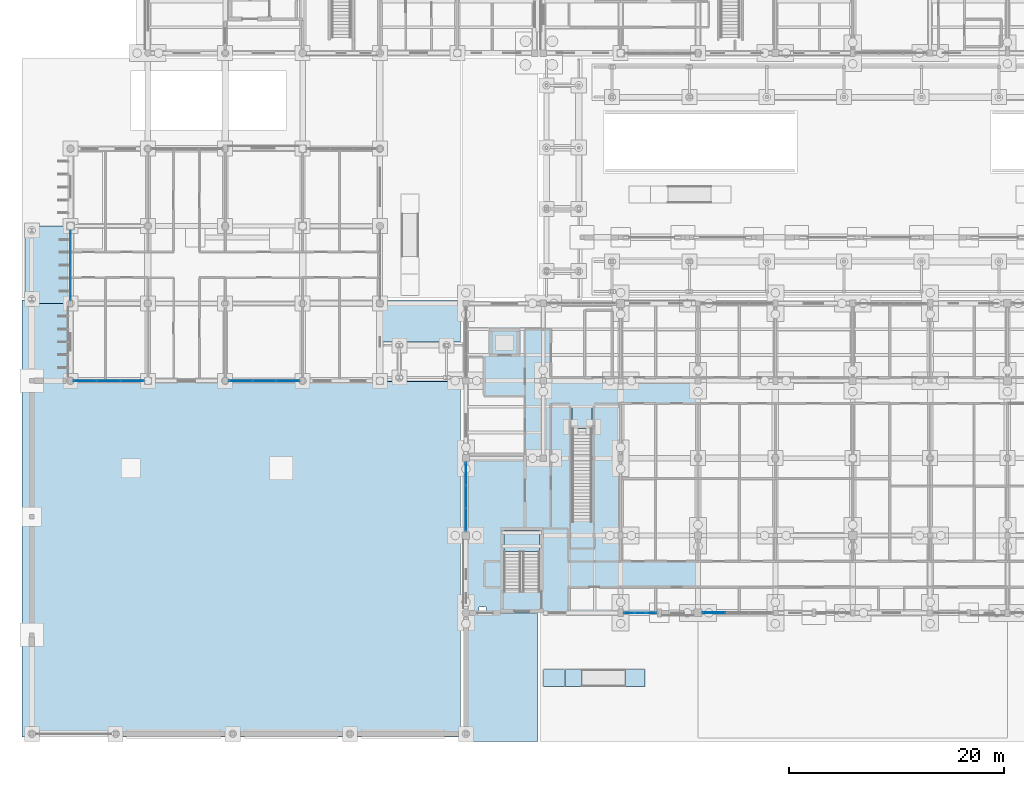
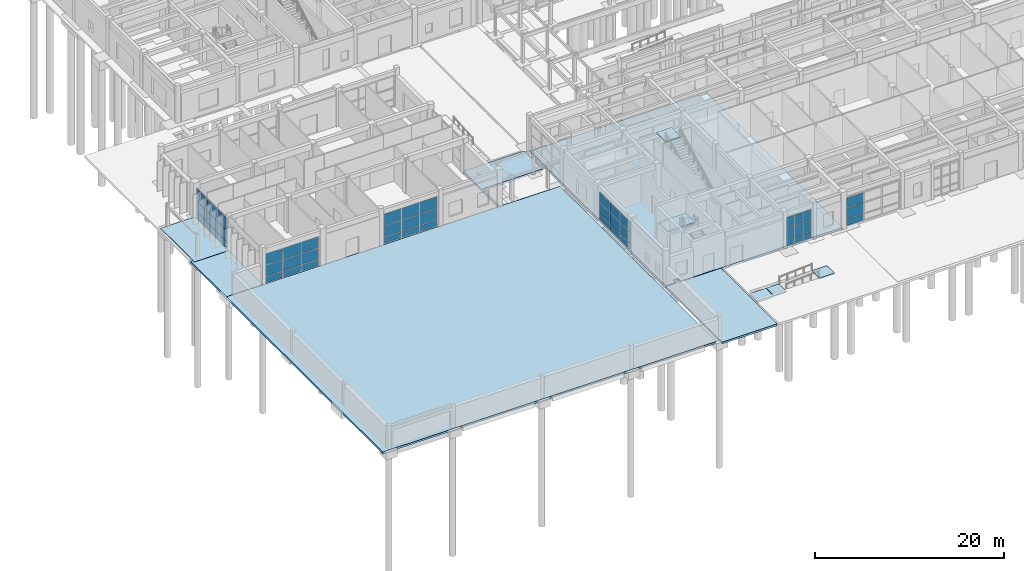
# One storey, part 78 of 143: 48 plates, 10 slabs, 9 elements without a shape of their own.
"""IFC4 building model written with IfcOpenShell, lengths in metres."""

from ifc_helpers import new_model, si_unit, direction, frame, origin, origin_2d, place, context, subcontext, project, spatial, polyline, rectangle, outline, extrude, material, layer, layer_set, type_object, element, aggregate, save


model = new_model("IFC4")

# Units and contexts
model_context = context("Model", 3, precision=1e-05, world=origin(), true_north=direction((0.0, 1.0)))
body_context = subcontext(model_context, "Body", "Model", "MODEL_VIEW")
ifc_project = project(units=[si_unit("LENGTHUNIT", "METRE"), si_unit("AREAUNIT", "SQUARE_METRE"), si_unit("VOLUMEUNIT", "CUBIC_METRE"), si_unit("PLANEANGLEUNIT", "RADIAN"), si_unit("MASSUNIT", "GRAM", prefix="KILO")], contexts=[model_context])

# Site, building, storey
site_placement = place(None, origin())
site = spatial("IfcSite", under=ifc_project, at=site_placement, CompositionType="ELEMENT")
building_placement = place(site_placement, origin())
building = spatial("IfcBuilding", under=site, at=building_placement, Name="Steenspoor Specialist Clinic", CompositionType="ELEMENT")
storey_placement = place(building_placement, origin())
storey = spatial("IfcBuildingStorey", under=building, at=storey_placement, Name="L00", CompositionType="ELEMENT", Elevation=0.0)

# Curtain wall, plates
ifc_material_1 = material(Name="Thermally broken aluminium and low-emissivity glass", Category="aluminium")
curtain_wall_type_1 = type_object("IfcCurtainWallType", Name="CW-L00-480X415", PredefinedType="USERDEFINED", material=ifc_material_1)
curtain_wall_1_placement = place(storey_placement, origin())
curtain_wall_1 = element("IfcCurtainWall", 1, at=curtain_wall_1_placement, inside=storey, type_object=curtain_wall_type_1, Name="Unitised Curtain Wall CW-V1-L00-006", ObjectType="UNITISED GLAZING", PredefinedType="USERDEFINED")
ifc_material_2 = material(Name="Double low-emissivity insulated glass", Category="glass")
ifc_layer_1 = layer(ifc_material_2, 0.035888671875)
ifc_layer_set_1 = layer_set([ifc_layer_1], Name="Double low-emissivity insulated glass")
plate_type_1 = type_object("IfcPlateType", Name="CW-PAN-GL36", PredefinedType="CURTAIN_PANEL", material=ifc_layer_set_1)
plate_1_placement = place(storey_placement, frame((62.46337890625, 13.050048828125, 0.070068359375), z_axis=(0.0, 0.0, 1.0), x_axis=(-1.0, 0.0, 0.0)))
plate_1 = element("IfcPlate", 2, at=plate_1_placement, type_object=plate_type_1, Name="CW-06 panel 1.1", PredefinedType="CURTAIN_PANEL", context=body_context, shape_type="SweptSolid", body=[
    extrude(rectangle(XDim=0.933349609375, YDim=0.035888671875, at=origin_2d()), origin(), (0.0, 0.0, 1.0), 0.794921875),
])
plate_2_placement = place(storey_placement, frame((62.46337890625, 13.050048828125, 0.93505859375), z_axis=(0.0, 0.0, 1.0), x_axis=(-1.0, 0.0, 0.0)))
plate_2 = element("IfcPlate", 3, at=plate_2_placement, type_object=plate_type_1, Name="CW-06 panel 1.2", PredefinedType="CURTAIN_PANEL", context=body_context, shape_type="SweptSolid", body=[
    extrude(rectangle(XDim=0.933349609375, YDim=0.035888671875, at=origin_2d()), origin(), (0.0, 0.0, 1.0), 1.3798828125),
])
plate_3_placement = place(storey_placement, frame((62.46337890625, 13.050048828125, 2.385009765625), z_axis=(0.0, 0.0, 1.0), x_axis=(-1.0, 0.0, 0.0)))
plate_3 = element("IfcPlate", 4, at=plate_3_placement, type_object=plate_type_1, Name="CW-06 panel 1.3", PredefinedType="CURTAIN_PANEL", context=body_context, shape_type="SweptSolid", body=[
    extrude(rectangle(XDim=0.933349609375, YDim=0.035888671875, at=origin_2d()), origin(), (0.0, 0.0, 1.0), 1.27490234375),
])
plate_4_placement = place(storey_placement, frame((61.429931640625, 13.050048828125, 0.070068359375), z_axis=(0.0, 0.0, 1.0), x_axis=(-1.0, 0.0, 0.0)))
plate_4 = element("IfcPlate", 5, at=plate_4_placement, type_object=plate_type_1, Name="CW-06 panel 2.1", PredefinedType="CURTAIN_PANEL", context=body_context, shape_type="SweptSolid", body=[
    extrude(rectangle(XDim=0.973388671875, YDim=0.035888671875, at=origin_2d()), origin(), (0.0, 0.0, 1.0), 0.794921875),
])
plate_5_placement = place(storey_placement, frame((61.429931640625, 13.050048828125, 0.93505859375), z_axis=(0.0, 0.0, 1.0), x_axis=(-1.0, 0.0, 0.0)))
plate_5 = element("IfcPlate", 6, at=plate_5_placement, type_object=plate_type_1, Name="CW-06 panel 2.2", PredefinedType="CURTAIN_PANEL", context=body_context, shape_type="SweptSolid", body=[
    extrude(rectangle(XDim=0.973388671875, YDim=0.035888671875, at=origin_2d()), origin(), (0.0, 0.0, 1.0), 1.3798828125),
])
plate_6_placement = place(storey_placement, frame((61.429931640625, 13.050048828125, 2.385009765625), z_axis=(0.0, 0.0, 1.0), x_axis=(-1.0, 0.0, 0.0)))
plate_6 = element("IfcPlate", 7, at=plate_6_placement, type_object=plate_type_1, Name="CW-06 panel 2.3", PredefinedType="CURTAIN_PANEL", context=body_context, shape_type="SweptSolid", body=[
    extrude(rectangle(XDim=0.973388671875, YDim=0.035888671875, at=origin_2d()), origin(), (0.0, 0.0, 1.0), 1.27490234375),
])
plate_7_placement = place(storey_placement, frame((60.396728515625, 13.050048828125, 0.070068359375), z_axis=(0.0, 0.0, 1.0), x_axis=(-1.0, 0.0, 0.0)))
plate_7 = element("IfcPlate", 8, at=plate_7_placement, type_object=plate_type_1, Name="CW-06 panel 3.1", PredefinedType="CURTAIN_PANEL", context=body_context, shape_type="SweptSolid", body=[
    extrude(rectangle(XDim=0.933349609375, YDim=0.035888671875, at=origin_2d()), origin(), (0.0, 0.0, 1.0), 0.794921875),
])
plate_8_placement = place(storey_placement, frame((60.396728515625, 13.050048828125, 0.93505859375), z_axis=(0.0, 0.0, 1.0), x_axis=(-1.0, 0.0, 0.0)))
plate_8 = element("IfcPlate", 9, at=plate_8_placement, type_object=plate_type_1, Name="CW-06 panel 3.2", PredefinedType="CURTAIN_PANEL", context=body_context, shape_type="SweptSolid", body=[
    extrude(rectangle(XDim=0.933349609375, YDim=0.035888671875, at=origin_2d()), origin(), (0.0, 0.0, 1.0), 1.3798828125),
])
plate_9_placement = place(storey_placement, frame((60.396728515625, 13.050048828125, 2.385009765625), z_axis=(0.0, 0.0, 1.0), x_axis=(-1.0, 0.0, 0.0)))
plate_9 = element("IfcPlate", 10, at=plate_9_placement, type_object=plate_type_1, Name="CW-06 panel 3.3", PredefinedType="CURTAIN_PANEL", context=body_context, shape_type="SweptSolid", body=[
    extrude(rectangle(XDim=0.933349609375, YDim=0.035888671875, at=origin_2d()), origin(), (0.0, 0.0, 1.0), 1.27490234375),
])
aggregate(curtain_wall_1, [plate_1, plate_2, plate_3, plate_4, plate_5, plate_6, plate_7, plate_8, plate_9])

curtain_wall_type_2 = type_object("IfcCurtainWallType", Name="CW-TYP-480X355", PredefinedType="USERDEFINED", material=ifc_material_1)
curtain_wall_2_placement = place(storey_placement, origin())
curtain_wall_2 = element("IfcCurtainWall", 11, at=curtain_wall_2_placement, inside=storey, type_object=curtain_wall_type_2, Name="Unitised Curtain Wall CW-V3-L00-036", ObjectType="UNITISED GLAZING", PredefinedType="USERDEFINED")
plate_10_placement = place(storey_placement, frame((28.642578125, 34.64990234375, 0.070068359375), z_axis=(0.0, 0.0, 1.0), x_axis=(-1.0, 0.0, 0.0)))
plate_10 = element("IfcPlate", 12, at=plate_10_placement, type_object=plate_type_1, Name="CW-12 panel 1.1", PredefinedType="CURTAIN_PANEL", context=body_context, shape_type="SweptSolid", body=[
    extrude(rectangle(XDim=2.10498046875, YDim=0.035888671875, at=origin_2d()), origin(), (0.0, 0.0, 1.0), 0.794921875),
])
plate_11_placement = place(storey_placement, frame((28.642578125, 34.64990234375, 0.93505859375), z_axis=(0.0, 0.0, 1.0), x_axis=(-1.0, 0.0, 0.0)))
plate_11 = element("IfcPlate", 13, at=plate_11_placement, type_object=plate_type_1, Name="CW-12 panel 1.2", PredefinedType="CURTAIN_PANEL", context=body_context, shape_type="SweptSolid", body=[
    extrude(rectangle(XDim=2.10498046875, YDim=0.035888671875, at=origin_2d()), origin(), (0.0, 0.0, 1.0), 1.3798828125),
])
plate_12_placement = place(storey_placement, frame((28.642578125, 34.64990234375, 2.385009765625), z_axis=(0.0, 0.0, 1.0), x_axis=(-1.0, 0.0, 0.0)))
plate_12 = element("IfcPlate", 14, at=plate_12_placement, type_object=plate_type_1, Name="CW-12 panel 1.3", PredefinedType="CURTAIN_PANEL", context=body_context, shape_type="SweptSolid", body=[
    extrude(rectangle(XDim=2.10498046875, YDim=0.035888671875, at=origin_2d()), origin(), (0.0, 0.0, 1.0), 1.52490234375),
])
plate_13_placement = place(storey_placement, frame((26.4375, 34.64990234375, 0.070068359375), z_axis=(0.0, 0.0, 1.0), x_axis=(-1.0, 0.0, 0.0)))
plate_13 = element("IfcPlate", 15, at=plate_13_placement, type_object=plate_type_1, Name="CW-12 panel 2.1", PredefinedType="CURTAIN_PANEL", context=body_context, shape_type="SweptSolid", body=[
    extrude(rectangle(XDim=2.14501953125, YDim=0.035888671875, at=origin_2d()), origin(), (0.0, 0.0, 1.0), 0.794921875),
])
plate_14_placement = place(storey_placement, frame((26.4375, 34.64990234375, 0.93505859375), z_axis=(0.0, 0.0, 1.0), x_axis=(-1.0, 0.0, 0.0)))
plate_14 = element("IfcPlate", 16, at=plate_14_placement, type_object=plate_type_1, Name="CW-12 panel 2.2", PredefinedType="CURTAIN_PANEL", context=body_context, shape_type="SweptSolid", body=[
    extrude(rectangle(XDim=2.14501953125, YDim=0.035888671875, at=origin_2d()), origin(), (0.0, 0.0, 1.0), 1.3798828125),
])
plate_15_placement = place(storey_placement, frame((26.4375, 34.64990234375, 2.385009765625), z_axis=(0.0, 0.0, 1.0), x_axis=(-1.0, 0.0, 0.0)))
plate_15 = element("IfcPlate", 17, at=plate_15_placement, type_object=plate_type_1, Name="CW-12 panel 2.3", PredefinedType="CURTAIN_PANEL", context=body_context, shape_type="SweptSolid", body=[
    extrude(rectangle(XDim=2.14501953125, YDim=0.035888671875, at=origin_2d()), origin(), (0.0, 0.0, 1.0), 1.52490234375),
])
plate_16_placement = place(storey_placement, frame((24.232421875, 34.64990234375, 0.070068359375), z_axis=(0.0, 0.0, 1.0), x_axis=(-1.0, 0.0, 0.0)))
plate_16 = element("IfcPlate", 18, at=plate_16_placement, type_object=plate_type_1, Name="CW-12 panel 3.1", PredefinedType="CURTAIN_PANEL", context=body_context, shape_type="SweptSolid", body=[
    extrude(rectangle(XDim=2.10498046875, YDim=0.035888671875, at=origin_2d()), origin(), (0.0, 0.0, 1.0), 0.794921875),
])
plate_17_placement = place(storey_placement, frame((24.232421875, 34.64990234375, 0.93505859375), z_axis=(0.0, 0.0, 1.0), x_axis=(-1.0, 0.0, 0.0)))
plate_17 = element("IfcPlate", 19, at=plate_17_placement, type_object=plate_type_1, Name="CW-12 panel 3.2", PredefinedType="CURTAIN_PANEL", context=body_context, shape_type="SweptSolid", body=[
    extrude(rectangle(XDim=2.10498046875, YDim=0.035888671875, at=origin_2d()), origin(), (0.0, 0.0, 1.0), 1.3798828125),
])
plate_18_placement = place(storey_placement, frame((24.232421875, 34.64990234375, 2.385009765625), z_axis=(0.0, 0.0, 1.0), x_axis=(-1.0, 0.0, 0.0)))
plate_18 = element("IfcPlate", 20, at=plate_18_placement, type_object=plate_type_1, Name="CW-12 panel 3.3", PredefinedType="CURTAIN_PANEL", context=body_context, shape_type="SweptSolid", body=[
    extrude(rectangle(XDim=2.10498046875, YDim=0.035888671875, at=origin_2d()), origin(), (0.0, 0.0, 1.0), 1.52490234375),
])
aggregate(curtain_wall_2, [plate_10, plate_11, plate_12, plate_13, plate_14, plate_15, plate_16, plate_17, plate_18])

curtain_wall_type_3 = type_object("IfcCurtainWallType", Name="CW-L00-360X415", PredefinedType="USERDEFINED", material=ifc_material_1)
curtain_wall_3_placement = place(storey_placement, origin())
curtain_wall_3 = element("IfcCurtainWall", 21, at=curtain_wall_3_placement, inside=storey, type_object=curtain_wall_type_3, Name="Unitised Curtain Wall CW-V1-L00-007", ObjectType="UNITISED GLAZING", PredefinedType="USERDEFINED")
ifc_material_3 = material(Name="Triple acoustic laminated low-emissivity glass", Category="glass")
ifc_layer_2 = layer(ifc_material_3, 0.048095703125)
ifc_layer_set_2 = layer_set([ifc_layer_2], Name="Triple acoustic laminated low-emissivity glass")
plate_type_2 = type_object("IfcPlateType", Name="CW-PAN-GL48", PredefinedType="CURTAIN_PANEL", material=ifc_layer_set_2)
plate_19_placement = place(storey_placement, frame((45.199951171875, 21.70751953125, 0.06494140625), z_axis=(0.0, 0.0, 1.0), x_axis=(0.0, 1.0, 0.0)))
plate_19 = element("IfcPlate", 22, at=plate_19_placement, type_object=plate_type_2, Name="CW-07 panel 1.1", PredefinedType="CURTAIN_PANEL", context=body_context, shape_type="SweptSolid", body=[
    extrude(rectangle(XDim=2.054931640625, YDim=0.048095703125, at=origin_2d()), origin(), (0.0, 0.0, 1.0), 0.802490234375),
])
plate_20_placement = place(storey_placement, frame((45.199951171875, 21.70751953125, 0.9326171875), z_axis=(0.0, 0.0, 1.0), x_axis=(0.0, 1.0, 0.0)))
plate_20 = element("IfcPlate", 23, at=plate_20_placement, type_object=plate_type_2, Name="CW-07 panel 1.2", PredefinedType="CURTAIN_PANEL", context=body_context, shape_type="SweptSolid", body=[
    extrude(rectangle(XDim=2.054931640625, YDim=0.048095703125, at=origin_2d()), origin(), (0.0, 0.0, 1.0), 1.385009765625),
])
plate_21_placement = place(storey_placement, frame((45.199951171875, 21.70751953125, 2.38232421875), z_axis=(0.0, 0.0, 1.0), x_axis=(0.0, 1.0, 0.0)))
plate_21 = element("IfcPlate", 24, at=plate_21_placement, type_object=plate_type_2, Name="CW-07 panel 1.3", PredefinedType="CURTAIN_PANEL", context=body_context, shape_type="SweptSolid", body=[
    extrude(rectangle(XDim=2.054931640625, YDim=0.048095703125, at=origin_2d()), origin(), (0.0, 0.0, 1.0), 1.282470703125),
])
plate_22_placement = place(storey_placement, frame((45.199951171875, 23.862548828125, 0.06494140625), z_axis=(0.0, 0.0, 1.0), x_axis=(0.0, 1.0, 0.0)))
plate_22 = element("IfcPlate", 25, at=plate_22_placement, type_object=plate_type_2, Name="CW-07 panel 2.1", PredefinedType="CURTAIN_PANEL", context=body_context, shape_type="SweptSolid", body=[
    extrude(rectangle(XDim=2.094970703125, YDim=0.048095703125, at=origin_2d()), origin(), (0.0, 0.0, 1.0), 0.802490234375),
])
plate_23_placement = place(storey_placement, frame((45.199951171875, 23.862548828125, 0.9326171875), z_axis=(0.0, 0.0, 1.0), x_axis=(0.0, 1.0, 0.0)))
plate_23 = element("IfcPlate", 26, at=plate_23_placement, type_object=plate_type_2, Name="CW-07 panel 2.2", PredefinedType="CURTAIN_PANEL", context=body_context, shape_type="SweptSolid", body=[
    extrude(rectangle(XDim=2.094970703125, YDim=0.048095703125, at=origin_2d()), origin(), (0.0, 0.0, 1.0), 1.385009765625),
])
plate_24_placement = place(storey_placement, frame((45.199951171875, 23.862548828125, 2.38232421875), z_axis=(0.0, 0.0, 1.0), x_axis=(0.0, 1.0, 0.0)))
plate_24 = element("IfcPlate", 27, at=plate_24_placement, type_object=plate_type_2, Name="CW-07 panel 2.3", PredefinedType="CURTAIN_PANEL", context=body_context, shape_type="SweptSolid", body=[
    extrude(rectangle(XDim=2.094970703125, YDim=0.048095703125, at=origin_2d()), origin(), (0.0, 0.0, 1.0), 1.282470703125),
])
plate_25_placement = place(storey_placement, frame((45.199951171875, 26.017578125, 0.06494140625), z_axis=(0.0, 0.0, 1.0), x_axis=(0.0, 1.0, 0.0)))
plate_25 = element("IfcPlate", 28, at=plate_25_placement, type_object=plate_type_2, Name="CW-07 panel 3.1", PredefinedType="CURTAIN_PANEL", context=body_context, shape_type="SweptSolid", body=[
    extrude(rectangle(XDim=2.054931640625, YDim=0.048095703125, at=origin_2d()), origin(), (0.0, 0.0, 1.0), 0.802490234375),
])
plate_26_placement = place(storey_placement, frame((45.199951171875, 26.017578125, 0.9326171875), z_axis=(0.0, 0.0, 1.0), x_axis=(0.0, 1.0, 0.0)))
plate_26 = element("IfcPlate", 29, at=plate_26_placement, type_object=plate_type_2, Name="CW-07 panel 3.2", PredefinedType="CURTAIN_PANEL", context=body_context, shape_type="SweptSolid", body=[
    extrude(rectangle(XDim=2.054931640625, YDim=0.048095703125, at=origin_2d()), origin(), (0.0, 0.0, 1.0), 1.385009765625),
])
plate_27_placement = place(storey_placement, frame((45.199951171875, 26.017578125, 2.38232421875), z_axis=(0.0, 0.0, 1.0), x_axis=(0.0, 1.0, 0.0)))
plate_27 = element("IfcPlate", 30, at=plate_27_placement, type_object=plate_type_2, Name="CW-07 panel 3.3", PredefinedType="CURTAIN_PANEL", context=body_context, shape_type="SweptSolid", body=[
    extrude(rectangle(XDim=2.054931640625, YDim=0.048095703125, at=origin_2d()), origin(), (0.0, 0.0, 1.0), 1.282470703125),
])
aggregate(curtain_wall_3, [plate_19, plate_20, plate_21, plate_22, plate_23, plate_24, plate_25, plate_26, plate_27])

curtain_wall_type_4 = type_object("IfcCurtainWallType", Name="CW-TYP-420X355", PredefinedType="USERDEFINED", material=ifc_material_1)
curtain_wall_4_placement = place(storey_placement, origin())
curtain_wall_4 = element("IfcCurtainWall", 31, at=curtain_wall_4_placement, inside=storey, type_object=curtain_wall_type_4, Name="Unitised Curtain Wall CW-V3-L00-037", ObjectType="UNITISED GLAZING", PredefinedType="USERDEFINED")
plate_28_placement = place(storey_placement, frame((14.146728515625, 34.64990234375, 0.06494140625), z_axis=(0.0, 0.0, 1.0), x_axis=(-1.0, 0.0, 0.0)))
plate_28 = element("IfcPlate", 32, at=plate_28_placement, type_object=plate_type_2, Name="CW-13 panel 1.1", PredefinedType="CURTAIN_PANEL", context=body_context, shape_type="SweptSolid", body=[
    extrude(rectangle(XDim=2.0966796875, YDim=0.048095703125, at=origin_2d()), origin(), (0.0, 0.0, 1.0), 0.802490234375),
])
plate_29_placement = place(storey_placement, frame((14.146728515625, 34.64990234375, 0.9326171875), z_axis=(0.0, 0.0, 1.0), x_axis=(-1.0, 0.0, 0.0)))
plate_29 = element("IfcPlate", 33, at=plate_29_placement, type_object=plate_type_2, Name="CW-13 panel 1.2", PredefinedType="CURTAIN_PANEL", context=body_context, shape_type="SweptSolid", body=[
    extrude(rectangle(XDim=2.0966796875, YDim=0.048095703125, at=origin_2d()), origin(), (0.0, 0.0, 1.0), 1.385009765625),
])
plate_30_placement = place(storey_placement, frame((14.146728515625, 34.64990234375, 2.38232421875), z_axis=(0.0, 0.0, 1.0), x_axis=(-1.0, 0.0, 0.0)))
plate_30 = element("IfcPlate", 34, at=plate_30_placement, type_object=plate_type_2, Name="CW-13 panel 1.3", PredefinedType="CURTAIN_PANEL", context=body_context, shape_type="SweptSolid", body=[
    extrude(rectangle(XDim=2.0966796875, YDim=0.048095703125, at=origin_2d()), origin(), (0.0, 0.0, 1.0), 1.452392578125),
])
plate_31_placement = place(storey_placement, frame((11.949951171875, 34.64990234375, 0.06494140625), z_axis=(0.0, 0.0, 1.0), x_axis=(-1.0, 0.0, 0.0)))
plate_31 = element("IfcPlate", 35, at=plate_31_placement, type_object=plate_type_2, Name="CW-13 panel 2.1", PredefinedType="CURTAIN_PANEL", context=body_context, shape_type="SweptSolid", body=[
    extrude(rectangle(XDim=2.13671875, YDim=0.048095703125, at=origin_2d()), origin(), (0.0, 0.0, 1.0), 0.802490234375),
])
plate_32_placement = place(storey_placement, frame((11.949951171875, 34.64990234375, 0.9326171875), z_axis=(0.0, 0.0, 1.0), x_axis=(-1.0, 0.0, 0.0)))
plate_32 = element("IfcPlate", 36, at=plate_32_placement, type_object=plate_type_2, Name="CW-13 panel 2.2", PredefinedType="CURTAIN_PANEL", context=body_context, shape_type="SweptSolid", body=[
    extrude(rectangle(XDim=2.13671875, YDim=0.048095703125, at=origin_2d()), origin(), (0.0, 0.0, 1.0), 1.385009765625),
])
plate_33_placement = place(storey_placement, frame((11.949951171875, 34.64990234375, 2.38232421875), z_axis=(0.0, 0.0, 1.0), x_axis=(-1.0, 0.0, 0.0)))
plate_33 = element("IfcPlate", 37, at=plate_33_placement, type_object=plate_type_2, Name="CW-13 panel 2.3", PredefinedType="CURTAIN_PANEL", context=body_context, shape_type="SweptSolid", body=[
    extrude(rectangle(XDim=2.13671875, YDim=0.048095703125, at=origin_2d()), origin(), (0.0, 0.0, 1.0), 1.452392578125),
])
plate_34_placement = place(storey_placement, frame((9.75341796875, 34.64990234375, 0.06494140625), z_axis=(0.0, 0.0, 1.0), x_axis=(-1.0, 0.0, 0.0)))
plate_34 = element("IfcPlate", 38, at=plate_34_placement, type_object=plate_type_2, Name="CW-13 panel 3.1", PredefinedType="CURTAIN_PANEL", context=body_context, shape_type="SweptSolid", body=[
    extrude(rectangle(XDim=2.0966796875, YDim=0.048095703125, at=origin_2d()), origin(), (0.0, 0.0, 1.0), 0.802490234375),
])
plate_35_placement = place(storey_placement, frame((9.75341796875, 34.64990234375, 0.9326171875), z_axis=(0.0, 0.0, 1.0), x_axis=(-1.0, 0.0, 0.0)))
plate_35 = element("IfcPlate", 39, at=plate_35_placement, type_object=plate_type_2, Name="CW-13 panel 3.2", PredefinedType="CURTAIN_PANEL", context=body_context, shape_type="SweptSolid", body=[
    extrude(rectangle(XDim=2.0966796875, YDim=0.048095703125, at=origin_2d()), origin(), (0.0, 0.0, 1.0), 1.385009765625),
])
plate_36_placement = place(storey_placement, frame((9.75341796875, 34.64990234375, 2.38232421875), z_axis=(0.0, 0.0, 1.0), x_axis=(-1.0, 0.0, 0.0)))
plate_36 = element("IfcPlate", 40, at=plate_36_placement, type_object=plate_type_2, Name="CW-13 panel 3.3", PredefinedType="CURTAIN_PANEL", context=body_context, shape_type="SweptSolid", body=[
    extrude(rectangle(XDim=2.0966796875, YDim=0.048095703125, at=origin_2d()), origin(), (0.0, 0.0, 1.0), 1.452392578125),
])
aggregate(curtain_wall_4, [plate_28, plate_29, plate_30, plate_31, plate_32, plate_33, plate_34, plate_35, plate_36])

curtain_wall_type_5 = type_object("IfcCurtainWallType", Name="CW-L00-650X415", PredefinedType="USERDEFINED", material=ifc_material_1)
curtain_wall_5_placement = place(storey_placement, origin())
curtain_wall_5 = element("IfcCurtainWall", 41, at=curtain_wall_5_placement, inside=storey, type_object=curtain_wall_type_5, Name="Unitised Curtain Wall CW-V1-L00-005", ObjectType="UNITISED GLAZING", PredefinedType="USERDEFINED")
ifc_material_4 = material(Name="Insulated glazed ceramic spandrel panel", Category="glass")
ifc_layer_3 = layer(ifc_material_4, 0.074951171875)
ifc_layer_set_3 = layer_set([ifc_layer_3], Name="Insulated glazed ceramic spandrel panel")
plate_type_3 = type_object("IfcPlateType", Name="CW-PAN-SP75", PredefinedType="CURTAIN_PANEL", material=ifc_layer_set_3)
plate_37_placement = place(storey_placement, frame((68.276611328125, 13.050048828125, 0.080078125), z_axis=(0.0, 0.0, 1.0), x_axis=(-1.0, 0.0, 0.0)))
plate_37 = element("IfcPlate", 42, at=plate_37_placement, type_object=plate_type_3, Name="CW-05 panel 3.1", PredefinedType="CURTAIN_PANEL", context=body_context, shape_type="SweptSolid", body=[
    extrude(rectangle(XDim=2.0732421875, YDim=0.074951171875, at=origin_2d()), origin(), (0.0, 0.0, 1.0), 0.780029296875),
])
plate_38_placement = place(storey_placement, frame((68.276611328125, 13.050048828125, 0.93994140625), z_axis=(0.0, 0.0, 1.0), x_axis=(-1.0, 0.0, 0.0)))
plate_38 = element("IfcPlate", 43, at=plate_38_placement, type_object=plate_type_3, Name="CW-05 panel 3.2", PredefinedType="CURTAIN_PANEL", context=body_context, shape_type="SweptSolid", body=[
    extrude(rectangle(XDim=2.0732421875, YDim=0.074951171875, at=origin_2d()), origin(), (0.0, 0.0, 1.0), 1.3701171875),
])
plate_39_placement = place(storey_placement, frame((68.276611328125, 13.050048828125, 2.39013671875), z_axis=(0.0, 0.0, 1.0), x_axis=(-1.0, 0.0, 0.0)))
plate_39 = element("IfcPlate", 44, at=plate_39_placement, type_object=plate_type_3, Name="CW-05 panel 3.3", PredefinedType="CURTAIN_PANEL", context=body_context, shape_type="SweptSolid", body=[
    extrude(rectangle(XDim=2.0732421875, YDim=0.074951171875, at=origin_2d()), origin(), (0.0, 0.0, 1.0), 1.260009765625),
])
aggregate(curtain_wall_5, [plate_37, plate_38, plate_39])

curtain_wall_type_6 = type_object("IfcCurtainWallType", Name="CW-TYP-360X355", PredefinedType="USERDEFINED", material=ifc_material_1)
curtain_wall_6_placement = place(storey_placement, origin())
curtain_wall_6 = element("IfcCurtainWall", 45, at=curtain_wall_6_placement, inside=storey, type_object=curtain_wall_type_6, Name="Unitised Curtain Wall CW-V3-L00-038", ObjectType="UNITISED GLAZING", PredefinedType="USERDEFINED")
plate_40_placement = place(storey_placement, frame((8.39990234375, 43.234130859375, 0.06005859375), z_axis=(0.0, 0.0, 1.0), x_axis=(0.0, 1.0, 0.0)))
plate_40 = element("IfcPlate", 46, at=plate_40_placement, type_object=plate_type_3, Name="CW-14 panel 1.1", PredefinedType="CURTAIN_PANEL", context=body_context, shape_type="SweptSolid", body=[
    extrude(rectangle(XDim=2.078369140625, YDim=0.074951171875, at=origin_2d()), origin(), (0.0, 0.0, 1.0), 0.81005859375),
])
plate_41_placement = place(storey_placement, frame((8.39990234375, 43.234130859375, 0.93017578125), z_axis=(0.0, 0.0, 1.0), x_axis=(0.0, 1.0, 0.0)))
plate_41 = element("IfcPlate", 47, at=plate_41_placement, type_object=plate_type_3, Name="CW-14 panel 1.2", PredefinedType="CURTAIN_PANEL", context=body_context, shape_type="SweptSolid", body=[
    extrude(rectangle(XDim=2.078369140625, YDim=0.074951171875, at=origin_2d()), origin(), (0.0, 0.0, 1.0), 1.389892578125),
])
plate_42_placement = place(storey_placement, frame((8.39990234375, 43.234130859375, 2.3798828125), z_axis=(0.0, 0.0, 1.0), x_axis=(0.0, 1.0, 0.0)))
plate_42 = element("IfcPlate", 48, at=plate_42_placement, type_object=plate_type_3, Name="CW-14 panel 1.3", PredefinedType="CURTAIN_PANEL", context=body_context, shape_type="SweptSolid", body=[
    extrude(rectangle(XDim=2.078369140625, YDim=0.074951171875, at=origin_2d()), origin(), (0.0, 0.0, 1.0), 1.5400390625),
])
plate_43_placement = place(storey_placement, frame((8.39990234375, 45.39990234375, 0.06005859375), z_axis=(0.0, 0.0, 1.0), x_axis=(0.0, 1.0, 0.0)))
plate_43 = element("IfcPlate", 49, at=plate_43_placement, type_object=plate_type_3, Name="CW-14 panel 2.1", PredefinedType="CURTAIN_PANEL", context=body_context, shape_type="SweptSolid", body=[
    extrude(rectangle(XDim=2.11328125, YDim=0.074951171875, at=origin_2d()), origin(), (0.0, 0.0, 1.0), 0.81005859375),
])
plate_44_placement = place(storey_placement, frame((8.39990234375, 45.39990234375, 0.93017578125), z_axis=(0.0, 0.0, 1.0), x_axis=(0.0, 1.0, 0.0)))
plate_44 = element("IfcPlate", 50, at=plate_44_placement, type_object=plate_type_3, Name="CW-14 panel 2.2", PredefinedType="CURTAIN_PANEL", context=body_context, shape_type="SweptSolid", body=[
    extrude(rectangle(XDim=2.11328125, YDim=0.074951171875, at=origin_2d()), origin(), (0.0, 0.0, 1.0), 1.389892578125),
])
plate_45_placement = place(storey_placement, frame((8.39990234375, 45.39990234375, 2.3798828125), z_axis=(0.0, 0.0, 1.0), x_axis=(0.0, 1.0, 0.0)))
plate_45 = element("IfcPlate", 51, at=plate_45_placement, type_object=plate_type_3, Name="CW-14 panel 2.3", PredefinedType="CURTAIN_PANEL", context=body_context, shape_type="SweptSolid", body=[
    extrude(rectangle(XDim=2.11328125, YDim=0.074951171875, at=origin_2d()), origin(), (0.0, 0.0, 1.0), 1.5400390625),
])
plate_46_placement = place(storey_placement, frame((8.39990234375, 47.56591796875, 0.06005859375), z_axis=(0.0, 0.0, 1.0), x_axis=(0.0, 1.0, 0.0)))
plate_46 = element("IfcPlate", 52, at=plate_46_placement, type_object=plate_type_3, Name="CW-14 panel 3.1", PredefinedType="CURTAIN_PANEL", context=body_context, shape_type="SweptSolid", body=[
    extrude(rectangle(XDim=2.078369140625, YDim=0.074951171875, at=origin_2d()), origin(), (0.0, 0.0, 1.0), 0.81005859375),
])
plate_47_placement = place(storey_placement, frame((8.39990234375, 47.56591796875, 0.93017578125), z_axis=(0.0, 0.0, 1.0), x_axis=(0.0, 1.0, 0.0)))
plate_47 = element("IfcPlate", 53, at=plate_47_placement, type_object=plate_type_3, Name="CW-14 panel 3.2", PredefinedType="CURTAIN_PANEL", context=body_context, shape_type="SweptSolid", body=[
    extrude(rectangle(XDim=2.078369140625, YDim=0.074951171875, at=origin_2d()), origin(), (0.0, 0.0, 1.0), 1.389892578125),
])
plate_48_placement = place(storey_placement, frame((8.39990234375, 47.56591796875, 2.3798828125), z_axis=(0.0, 0.0, 1.0), x_axis=(0.0, 1.0, 0.0)))
plate_48 = element("IfcPlate", 54, at=plate_48_placement, type_object=plate_type_3, Name="CW-14 panel 3.3", PredefinedType="CURTAIN_PANEL", context=body_context, shape_type="SweptSolid", body=[
    extrude(rectangle(XDim=2.078369140625, YDim=0.074951171875, at=origin_2d()), origin(), (0.0, 0.0, 1.0), 1.5400390625),
])
aggregate(curtain_wall_6, [plate_40, plate_41, plate_42, plate_43, plate_44, plate_45, plate_46, plate_47, plate_48])

# Slab
ifc_material_5 = material(Name="Concrete C35/45", Category="concrete")
ifc_layer_4 = layer(ifc_material_5, 0.300048828125)
ifc_layer_set_4 = layer_set([ifc_layer_4], Name="Concrete C35/45")
slab_type_1 = type_object("IfcSlabType", Name="SL-BASE-300", PredefinedType="BASESLAB", material=ifc_layer_set_4)
slab_1_placement = place(storey_placement, frame((0.0, 0.0, -0.300048828125)))
element("IfcSlab", 55, at=slab_1_placement, inside=storey, type_object=slab_type_1, Name="Structural Slab SLAB-V1-L00-001", PredefinedType="BASESLAB", context=body_context, shape_type="SweptSolid", body=[
    extrude(outline(polyline([(45.199951171875, 41.85009765625), (66.800048828125, 41.85009765625), (66.800048828125, 13.050048828125), (47.050048828125, 13.050048828125), (47.050048828125, 13.60009765625), (46.39990234375, 13.60009765625), (46.39990234375, 13.050048828125), (45.199951171875, 13.050048828125), (45.199951171875, 41.85009765625)])), origin(), (0.0, 0.0, 1.0), 0.300048828125),
])

# Stair, slab
stair_type_1 = type_object("IfcStairType", Name="ST-CORE-L00", PredefinedType="HALF_TURN_STAIR", material=ifc_material_5)
stair_1_placement = place(storey_placement, origin())
stair_1 = element("IfcStair", 56, at=stair_1_placement, inside=storey, type_object=stair_type_1, Name="L00 Enclosed Exit Stair ST-V1A", PredefinedType="HALF_TURN_STAIR")
ifc_layer_5 = layer(ifc_material_5, 0.199951171875)
ifc_layer_set_5 = layer_set([ifc_layer_5], Name="Concrete C35/45")
slab_type_2 = type_object("IfcSlabType", Name="SL-LAND-200", PredefinedType="LANDING", material=ifc_layer_set_5)
slab_2_placement = place(storey_placement, frame((0.0, 0.0, 2.199951171875)))
slab_2 = element("IfcSlab", 57, at=slab_2_placement, type_object=slab_type_2, Name="ST-V1A landing 1", PredefinedType="LANDING", context=body_context, shape_type="SweptSolid", body=[
    extrude(outline(polyline([(52.050048828125, 18.7548828125), (52.050048828125, 20.699951171875), (48.75, 20.699951171875), (48.75, 18.7548828125), (52.050048828125, 18.7548828125)])), origin(), (0.0, 0.0, 1.0), 0.199951171875),
])
aggregate(stair_1, [slab_2])

stair_type_2 = type_object("IfcStairType", Name="ST-FEAT-L00", PredefinedType="STRAIGHT_RUN_STAIR", material=ifc_material_5)
stair_2_placement = place(storey_placement, origin())
stair_2 = element("IfcStair", 58, at=stair_2_placement, inside=storey, type_object=stair_type_2, Name="Feature Atrium Stair ST-F01", PredefinedType="STRAIGHT_RUN_STAIR")
slab_3_placement = place(storey_placement, frame((0.0, 0.0, 4.60009765625)))
slab_3 = element("IfcSlab", 59, at=slab_3_placement, type_object=slab_type_2, Name="ST-F01 landing 1", PredefinedType="LANDING", context=body_context, shape_type="SweptSolid", body=[
    extrude(outline(polyline([(55.074951171875, 30.199951171875), (56.925048828125, 30.199951171875), (56.925048828125, 32.199951171875), (55.074951171875, 32.199951171875), (55.074951171875, 30.199951171875)])), origin(), (0.0, 0.0, 1.0), 0.199951171875),
])
aggregate(stair_2, [slab_3])

# Slabs
ifc_layer_6 = layer(ifc_material_5, 0.25)
ifc_layer_set_6 = layer_set([ifc_layer_6], Name="Concrete C35/45")
slab_type_3 = type_object("IfcSlabType", Name="SL-PLAZA-250", PredefinedType="BASESLAB", material=ifc_layer_set_6)
slab_4_placement = place(storey_placement, frame((0.0, 0.0, -0.550048828125)))
element("IfcSlab", 60, at=slab_4_placement, inside=storey, type_object=slab_type_3, Name="Outdoor Drop-Off Ramp Kerb Paving Slab APRON-RMP-01", PredefinedType="BASESLAB", context=body_context, shape_type="SweptSolid", body=[
    extrude(outline(polyline([(54.3798828125, 6.199951171875), (54.3798828125, 7.800048828125), (52.39990234375, 7.800048828125), (52.39990234375, 6.199951171875), (54.3798828125, 6.199951171875)])), origin(), (0.0, 0.0, 1.0), 0.25),
])
slab_5_placement = place(storey_placement, frame((0.0, 0.0, -0.25)))
element("IfcSlab", 61, at=slab_5_placement, inside=storey, type_object=slab_type_3, Name="Outdoor Campus Plaza Paving Slab PLAZA-SW-PARKING-02", PredefinedType="BASESLAB", context=body_context, shape_type="SweptSolid", body=[
    extrude(outline(polyline([(3.89990234375, 1.5), (3.89990234375, 34.60009765625), (44.699951171875, 34.60009765625), (44.699951171875, 1.5), (3.89990234375, 1.5)])), origin(), (0.0, 0.0, 1.0), 0.25),
])
slab_6_placement = place(storey_placement, frame((0.0, 0.0, -0.25)))
element("IfcSlab", 62, at=slab_6_placement, inside=storey, type_object=slab_type_3, Name="Outdoor Campus Plaza Paving Slab PLAZA-WEST-GARDEN-07", PredefinedType="BASESLAB", context=body_context, shape_type="SweptSolid", body=[
    extrude(outline(polyline([(3.89990234375, 34.60009765625), (3.89990234375, 42.14990234375), (4.179931640625, 42.14990234375), (4.179931640625, 41.830078125), (8.3798828125, 41.830078125), (8.3798828125, 34.6298828125), (37.219970703125, 34.6298828125), (37.219970703125, 42.14990234375), (44.699951171875, 42.14990234375), (44.699951171875, 38.27001953125), (37.3798828125, 38.27001953125), (37.3798828125, 34.6298828125), (44.699951171875, 34.6298828125), (44.699951171875, 34.60009765625), (3.89990234375, 34.60009765625)])), origin(), (0.0, 0.0, 1.0), 0.25),
])
slab_7_placement = place(storey_placement, frame((0.0, 0.0, -0.25)))
element("IfcSlab", 63, at=slab_7_placement, inside=storey, type_object=slab_type_3, Name="Outdoor Campus Plaza Paving Slab PLAZA-SOUTH-APRON-03", PredefinedType="BASESLAB", context=body_context, shape_type="SweptSolid", body=[
    extrude(outline(polyline([(45.14990234375, 1.10009765625), (45.14990234375, 13.0), (51.89990234375, 13.0), (51.89990234375, 1.10009765625), (45.14990234375, 1.10009765625)])), origin(), (0.0, 0.0, 1.0), 0.25),
])

# Ramp, slabs
ramp_type = type_object("IfcRampType", Name="RAMP-CONADI-075", PredefinedType="STRAIGHT_RUN_RAMP", material=ifc_material_5)
ramp_placement = place(storey_placement, origin())
ramp = element("IfcRamp", 64, at=ramp_placement, inside=storey, type_object=ramp_type, Name="Accessible Ramp RMP-01", PredefinedType="STRAIGHT_RUN_RAMP")
ifc_layer_7 = layer(ifc_material_5, 0.159912109375)
ifc_layer_set_7 = layer_set([ifc_layer_7], Name="Concrete C35/45")
slab_type_4 = type_object("IfcSlabType", Name="SL-RLAND-160", PredefinedType="LANDING", material=ifc_layer_set_7)
slab_8_placement = place(storey_placement, frame((0.0, 0.0, -0.159912109375)))
slab_8 = element("IfcSlab", 65, at=slab_8_placement, type_object=slab_type_4, Name="Ramp Top Landing RMP-01", PredefinedType="LANDING", context=body_context, shape_type="SweptSolid", body=[
    extrude(outline(polyline([(60.0, 6.199951171875), (61.85009765625, 6.199951171875), (61.85009765625, 7.800048828125), (60.0, 7.800048828125), (60.0, 6.199951171875)])), origin(), (0.0, 0.0, 1.0), 0.159912109375),
])
slab_9_placement = place(storey_placement, frame((0.0, 0.0, -0.4599609375)))
slab_9 = element("IfcSlab", 66, at=slab_9_placement, type_object=slab_type_4, Name="Ramp Bottom Landing RMP-01", PredefinedType="LANDING", context=body_context, shape_type="SweptSolid", body=[
    extrude(outline(polyline([(54.39990234375, 6.199951171875), (56.0, 6.199951171875), (56.0, 7.800048828125), (54.39990234375, 7.800048828125), (54.39990234375, 6.199951171875)])), origin(), (0.0, 0.0, 1.0), 0.159912109375),
])
aggregate(ramp, [slab_8, slab_9])

# Slab
ifc_layer_8 = layer(ifc_material_5, 0.18994140625)
ifc_layer_set_8 = layer_set([ifc_layer_8], Name="Concrete C35/45")
slab_type_5 = type_object("IfcSlabType", Name="SL-WALK-190", PredefinedType="FLOOR", material=ifc_layer_set_8)
slab_10_placement = place(storey_placement, frame((0.0, 0.0, -0.18994140625)))
element("IfcSlab", 67, at=slab_10_placement, inside=storey, type_object=slab_type_5, Name="West Healing Garden Colonnade Porch Terrace Deck", PredefinedType="FLOOR", context=body_context, shape_type="SweptSolid", body=[
    extrude(outline(polyline([(8.39990234375, 41.85009765625), (8.39990234375, 49.050048828125), (4.199951171875, 49.050048828125), (4.199951171875, 41.85009765625), (8.39990234375, 41.85009765625)])), origin(), (0.0, 0.0, 1.0), 0.18994140625),
])

save(model, "model.ifc")
